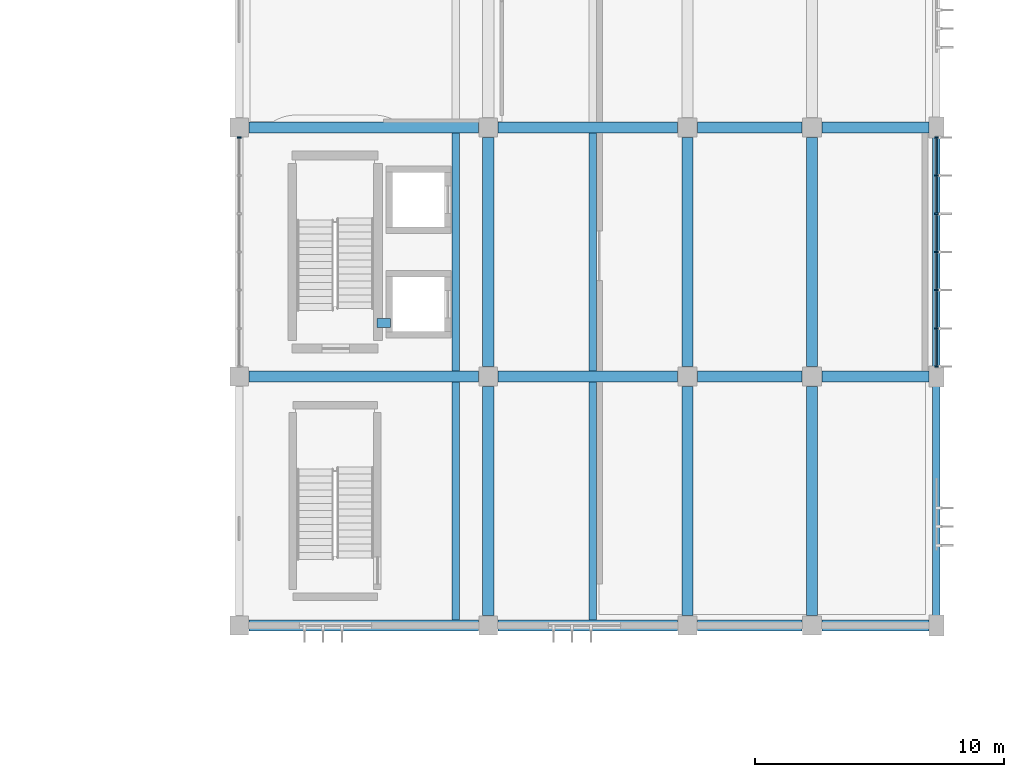
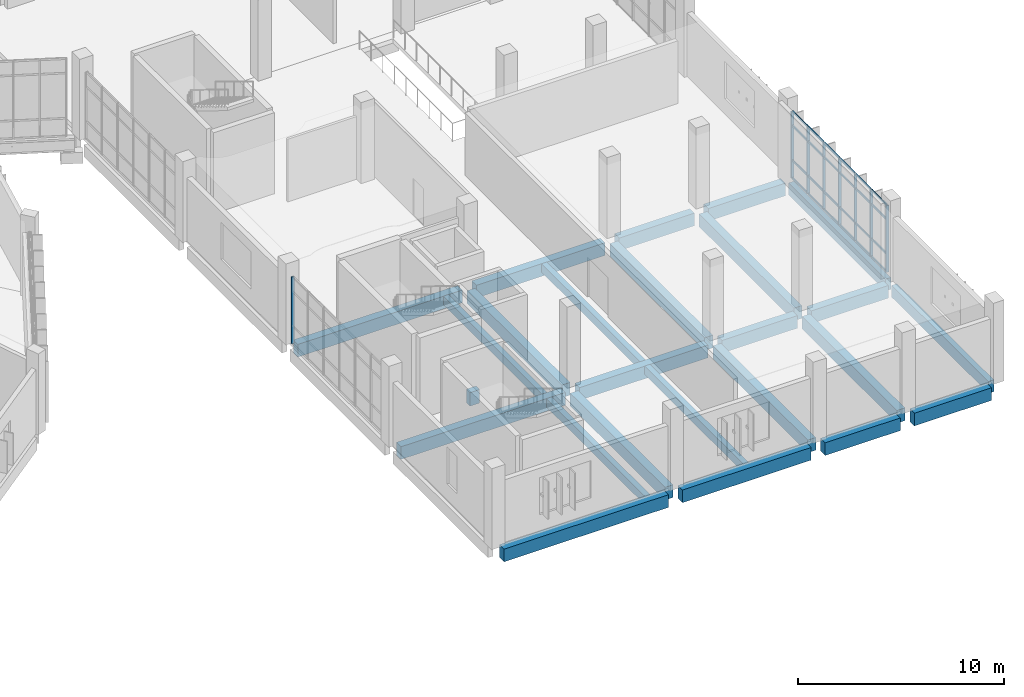
# One storey, part 52 of 179: 32 members, 25 beams, 2 elements without a shape of their own.
"""IFC4 building model written with IfcOpenShell, lengths in metres."""

from ifc_helpers import new_model, si_unit, direction, frame, origin, origin_2d, place, context, subcontext, project, spatial, rectangle, extrude, material, layer, layer_set, material_profile, profile_set, type_object, element, aggregate, save


model = new_model("IFC4")

# Units and contexts
model_context = context("Model", 3, precision=1e-05, world=origin(), true_north=direction((0.0, 1.0)))
body_context = subcontext(model_context, "Body", "Model", "MODEL_VIEW")
ifc_project = project(units=[si_unit("LENGTHUNIT", "METRE"), si_unit("AREAUNIT", "SQUARE_METRE"), si_unit("VOLUMEUNIT", "CUBIC_METRE"), si_unit("PLANEANGLEUNIT", "RADIAN"), si_unit("MASSUNIT", "GRAM", prefix="KILO")], contexts=[model_context])

# Site, building, storey
site_placement = place(None, origin())
site = spatial("IfcSite", under=ifc_project, at=site_placement, CompositionType="ELEMENT")
building_placement = place(site_placement, origin())
building = spatial("IfcBuilding", under=site, at=building_placement, Name="Corvandel Quay Wholesale Market", CompositionType="ELEMENT")
storey_placement = place(building_placement, frame((0.0, 0.0, 6.0)))
storey = spatial("IfcBuildingStorey", under=building, at=storey_placement, Name="L01", CompositionType="ELEMENT", Elevation=6.0)

# Beam
ifc_material_1 = material(Name="Concrete C40/50", Category="concrete")
ifc_material_profile_1 = material_profile(ifc_material_1, rectangle(XDim=0.35009765625, YDim=0.800048828125, at=origin_2d()), Name="RC-CPL-350x800")
ifc_profile_set_1 = profile_set([ifc_material_profile_1], Name="Concrete C40/50")
beam_type_1 = type_object("IfcBeamType", Name="Core Shear Wall Coupling Beam CP01 350x800", PredefinedType="BEAM", material=ifc_profile_set_1)
beam_1_placement = place(storey_placement, frame((225.52490234375, 22.14990234375, -0.64990234375), z_axis=(1.0, 0.0, 0.0), x_axis=(0.0, 1.0, 0.0)))
element("IfcBeam", 1, at=beam_1_placement, inside=storey, type_object=beam_type_1, Name="Core Coupling Beam K6-L01", PredefinedType="BEAM", context=body_context, shape_type="SweptSolid", body=[
    extrude(rectangle(XDim=0.35009765625, YDim=0.800048828125, at=origin_2d()), origin(), (0.0, 0.0, 1.0), 0.550048828125),
])

# Curtain wall, members
ifc_material_2 = material(Name="Bronze anodised aluminium and low-E insulated glazing", Category="aluminium")
ifc_layer_1 = layer(ifc_material_2, 0.197998046875)
ifc_layer_set_1 = layer_set([ifc_layer_1], Name="Bronze anodised aluminium and low-E insulated glazing")
curtain_wall_type_1 = type_object("IfcCurtainWallType", Name="Stick Curtain Wall System CW14 H4260", PredefinedType="NOTDEFINED", material=ifc_layer_set_1)
curtain_wall_1_placement = place(storey_placement, origin())
curtain_wall_1 = element("IfcCurtainWall", 2, at=curtain_wall_1_placement, inside=storey, type_object=curtain_wall_type_1, Name="Curtain Wall CW-0149", PredefinedType="NOTDEFINED")
ifc_material_3 = material(Name="Anodised aluminium 6063-T6", Category="aluminium")
ifc_material_profile_2 = material_profile(ifc_material_3, rectangle(XDim=0.06494140625, YDim=0.14990234375, at=origin_2d()), Name="ALU-MUL-65x150")
ifc_profile_set_2 = profile_set([ifc_material_profile_2], Name="Anodised aluminium 6063-T6")
member_type_1 = type_object("IfcMemberType", Name="Curtain Wall Mullion ML02 65x150", PredefinedType="MULLION", material=ifc_profile_set_2)
member_1_placement = place(storey_placement, frame((248.0, 20.39990234375, 0.0), z_axis=(0.0, 0.0, 1.0), x_axis=(0.0, 1.0, 0.0)))
member_1 = element("IfcMember", 3, at=member_1_placement, type_object=member_type_1, Name="Mullion CW-0149-M00", PredefinedType="MULLION", context=body_context, shape_type="SweptSolid", body=[
    extrude(rectangle(XDim=0.06494140625, YDim=0.14990234375, at=origin_2d()), origin(), (0.0, 0.0, 1.0), 3.949951171875),
])
member_2_placement = place(storey_placement, frame((248.0, 21.933349609375, 0.0), z_axis=(0.0, 0.0, 1.0), x_axis=(0.0, 1.0, 0.0)))
member_2 = element("IfcMember", 4, at=member_2_placement, type_object=member_type_1, Name="Mullion CW-0149-M01", PredefinedType="MULLION", context=body_context, shape_type="SweptSolid", body=[
    extrude(rectangle(XDim=0.06494140625, YDim=0.14990234375, at=origin_2d()), origin(), (0.0, 0.0, 1.0), 3.949951171875),
])
member_3_placement = place(storey_placement, frame((248.0, 23.466796875, 0.0), z_axis=(0.0, 0.0, 1.0), x_axis=(0.0, 1.0, 0.0)))
member_3 = element("IfcMember", 5, at=member_3_placement, type_object=member_type_1, Name="Mullion CW-0149-M02", PredefinedType="MULLION", context=body_context, shape_type="SweptSolid", body=[
    extrude(rectangle(XDim=0.06494140625, YDim=0.14990234375, at=origin_2d()), origin(), (0.0, 0.0, 1.0), 3.949951171875),
])
member_4_placement = place(storey_placement, frame((248.0, 25.0, 0.0), z_axis=(0.0, 0.0, 1.0), x_axis=(0.0, 1.0, 0.0)))
member_4 = element("IfcMember", 6, at=member_4_placement, type_object=member_type_1, Name="Mullion CW-0149-M03", PredefinedType="MULLION", context=body_context, shape_type="SweptSolid", body=[
    extrude(rectangle(XDim=0.06494140625, YDim=0.14990234375, at=origin_2d()), origin(), (0.0, 0.0, 1.0), 3.949951171875),
])
member_5_placement = place(storey_placement, frame((248.0, 26.533203125, 0.0), z_axis=(0.0, 0.0, 1.0), x_axis=(0.0, 1.0, 0.0)))
member_5 = element("IfcMember", 7, at=member_5_placement, type_object=member_type_1, Name="Mullion CW-0149-M04", PredefinedType="MULLION", context=body_context, shape_type="SweptSolid", body=[
    extrude(rectangle(XDim=0.06494140625, YDim=0.14990234375, at=origin_2d()), origin(), (0.0, 0.0, 1.0), 3.949951171875),
])
member_6_placement = place(storey_placement, frame((248.0, 28.066650390625, 0.0), z_axis=(0.0, 0.0, 1.0), x_axis=(0.0, 1.0, 0.0)))
member_6 = element("IfcMember", 8, at=member_6_placement, type_object=member_type_1, Name="Mullion CW-0149-M05", PredefinedType="MULLION", context=body_context, shape_type="SweptSolid", body=[
    extrude(rectangle(XDim=0.06494140625, YDim=0.14990234375, at=origin_2d()), origin(), (0.0, 0.0, 1.0), 3.949951171875),
])
member_7_placement = place(storey_placement, frame((248.0, 29.60009765625, 0.0), z_axis=(0.0, 0.0, 1.0), x_axis=(0.0, 1.0, 0.0)))
member_7 = element("IfcMember", 9, at=member_7_placement, type_object=member_type_1, Name="Mullion CW-0149-M06", PredefinedType="MULLION", context=body_context, shape_type="SweptSolid", body=[
    extrude(rectangle(XDim=0.06494140625, YDim=0.14990234375, at=origin_2d()), origin(), (0.0, 0.0, 1.0), 3.949951171875),
])

# Curtain wall, member
ifc_layer_2 = layer(ifc_material_2, 0.14990234375)
ifc_layer_set_2 = layer_set([ifc_layer_2], Name="Bronze anodised aluminium and low-E insulated glazing")
curtain_wall_type_2 = type_object("IfcCurtainWallType", Name="Stick Curtain Wall System CW20 H4800", PredefinedType="NOTDEFINED", material=ifc_layer_set_2)
curtain_wall_2_placement = place(storey_placement, origin())
curtain_wall_2 = element("IfcCurtainWall", 10, at=curtain_wall_2_placement, inside=storey, type_object=curtain_wall_type_2, Name="Curtain Wall CW-0150", PredefinedType="NOTDEFINED")
member_8_placement = place(storey_placement, frame((220.0, 29.60009765625, 0.0), z_axis=(0.0, 0.0, 1.0), x_axis=(0.0, 1.0, 0.0)))
member_8 = element("IfcMember", 11, at=member_8_placement, type_object=member_type_1, Name="Mullion CW-0150-M06", PredefinedType="MULLION", context=body_context, shape_type="SweptSolid", body=[
    extrude(rectangle(XDim=0.06494140625, YDim=0.14990234375, at=origin_2d()), origin(), (0.0, 0.0, 1.0), 3.949951171875),
])
aggregate(curtain_wall_2, [member_8])

# Member
ifc_material_profile_3 = material_profile(ifc_material_3, rectangle(XDim=0.06005859375, YDim=0.110107421875, at=origin_2d()), Name="ALU-TRN-60x110")
ifc_profile_set_3 = profile_set([ifc_material_profile_3], Name="Anodised aluminium 6063-T6")
member_type_2 = type_object("IfcMemberType", Name="Curtain Wall Transom TR02 60x110", PredefinedType="USERDEFINED", material=ifc_profile_set_3)
member_9_placement = place(storey_placement, frame((248.0, 20.4326171875, 0.0), z_axis=(0.0, 1.0, 0.0), x_axis=(-1.0, 0.0, 0.0)))
member_9 = element("IfcMember", 12, at=member_9_placement, type_object=member_type_2, Name="Transom CW-0149-T00-0", ObjectType="TRANSOM", PredefinedType="USERDEFINED", context=body_context, shape_type="SweptSolid", body=[
    extrude(rectangle(XDim=0.06005859375, YDim=0.110107421875, at=origin_2d()), origin(), (0.0, 0.0, 1.0), 1.46826171875),
])

member_10_placement = place(storey_placement, frame((248.0, 20.4326171875, 1.050048828125), z_axis=(0.0, 1.0, 0.0), x_axis=(-1.0, 0.0, 0.0)))
member_10 = element("IfcMember", 13, at=member_10_placement, type_object=member_type_2, Name="Transom CW-0149-T00-1", ObjectType="TRANSOM", PredefinedType="USERDEFINED", context=body_context, shape_type="SweptSolid", body=[
    extrude(rectangle(XDim=0.06005859375, YDim=0.110107421875, at=origin_2d()), origin(), (0.0, 0.0, 1.0), 1.46826171875),
])

member_11_placement = place(storey_placement, frame((248.0, 20.4326171875, 3.10009765625), z_axis=(0.0, 1.0, 0.0), x_axis=(-1.0, 0.0, 0.0)))
member_11 = element("IfcMember", 14, at=member_11_placement, type_object=member_type_2, Name="Transom CW-0149-T00-2", ObjectType="TRANSOM", PredefinedType="USERDEFINED", context=body_context, shape_type="SweptSolid", body=[
    extrude(rectangle(XDim=0.06005859375, YDim=0.110107421875, at=origin_2d()), origin(), (0.0, 0.0, 1.0), 1.46826171875),
])

member_12_placement = place(storey_placement, frame((248.0, 20.4326171875, 3.949951171875), z_axis=(0.0, 1.0, 0.0), x_axis=(-1.0, 0.0, 0.0)))
member_12 = element("IfcMember", 15, at=member_12_placement, type_object=member_type_2, Name="Transom CW-0149-T00-3", ObjectType="TRANSOM", PredefinedType="USERDEFINED", context=body_context, shape_type="SweptSolid", body=[
    extrude(rectangle(XDim=0.06005859375, YDim=0.110107421875, at=origin_2d()), origin(), (0.0, 0.0, 1.0), 1.46826171875),
])

member_13_placement = place(storey_placement, frame((248.0, 21.9658203125, 0.0), z_axis=(0.0, 1.0, 0.0), x_axis=(-1.0, 0.0, 0.0)))
member_13 = element("IfcMember", 16, at=member_13_placement, type_object=member_type_2, Name="Transom CW-0149-T01-0", ObjectType="TRANSOM", PredefinedType="USERDEFINED", context=body_context, shape_type="SweptSolid", body=[
    extrude(rectangle(XDim=0.06005859375, YDim=0.110107421875, at=origin_2d()), origin(), (0.0, 0.0, 1.0), 1.46826171875),
])

member_14_placement = place(storey_placement, frame((248.0, 21.9658203125, 1.050048828125), z_axis=(0.0, 1.0, 0.0), x_axis=(-1.0, 0.0, 0.0)))
member_14 = element("IfcMember", 17, at=member_14_placement, type_object=member_type_2, Name="Transom CW-0149-T01-1", ObjectType="TRANSOM", PredefinedType="USERDEFINED", context=body_context, shape_type="SweptSolid", body=[
    extrude(rectangle(XDim=0.06005859375, YDim=0.110107421875, at=origin_2d()), origin(), (0.0, 0.0, 1.0), 1.46826171875),
])

member_15_placement = place(storey_placement, frame((248.0, 21.9658203125, 3.10009765625), z_axis=(0.0, 1.0, 0.0), x_axis=(-1.0, 0.0, 0.0)))
member_15 = element("IfcMember", 18, at=member_15_placement, type_object=member_type_2, Name="Transom CW-0149-T01-2", ObjectType="TRANSOM", PredefinedType="USERDEFINED", context=body_context, shape_type="SweptSolid", body=[
    extrude(rectangle(XDim=0.06005859375, YDim=0.110107421875, at=origin_2d()), origin(), (0.0, 0.0, 1.0), 1.46826171875),
])

member_16_placement = place(storey_placement, frame((248.0, 21.9658203125, 3.949951171875), z_axis=(0.0, 1.0, 0.0), x_axis=(-1.0, 0.0, 0.0)))
member_16 = element("IfcMember", 19, at=member_16_placement, type_object=member_type_2, Name="Transom CW-0149-T01-3", ObjectType="TRANSOM", PredefinedType="USERDEFINED", context=body_context, shape_type="SweptSolid", body=[
    extrude(rectangle(XDim=0.06005859375, YDim=0.110107421875, at=origin_2d()), origin(), (0.0, 0.0, 1.0), 1.46826171875),
])

member_17_placement = place(storey_placement, frame((248.0, 23.499267578125, 0.0), z_axis=(0.0, 1.0, 0.0), x_axis=(-1.0, 0.0, 0.0)))
member_17 = element("IfcMember", 20, at=member_17_placement, type_object=member_type_2, Name="Transom CW-0149-T02-0", ObjectType="TRANSOM", PredefinedType="USERDEFINED", context=body_context, shape_type="SweptSolid", body=[
    extrude(rectangle(XDim=0.06005859375, YDim=0.110107421875, at=origin_2d()), origin(), (0.0, 0.0, 1.0), 1.46826171875),
])

member_18_placement = place(storey_placement, frame((248.0, 23.499267578125, 1.050048828125), z_axis=(0.0, 1.0, 0.0), x_axis=(-1.0, 0.0, 0.0)))
member_18 = element("IfcMember", 21, at=member_18_placement, type_object=member_type_2, Name="Transom CW-0149-T02-1", ObjectType="TRANSOM", PredefinedType="USERDEFINED", context=body_context, shape_type="SweptSolid", body=[
    extrude(rectangle(XDim=0.06005859375, YDim=0.110107421875, at=origin_2d()), origin(), (0.0, 0.0, 1.0), 1.46826171875),
])

member_19_placement = place(storey_placement, frame((248.0, 23.499267578125, 3.10009765625), z_axis=(0.0, 1.0, 0.0), x_axis=(-1.0, 0.0, 0.0)))
member_19 = element("IfcMember", 22, at=member_19_placement, type_object=member_type_2, Name="Transom CW-0149-T02-2", ObjectType="TRANSOM", PredefinedType="USERDEFINED", context=body_context, shape_type="SweptSolid", body=[
    extrude(rectangle(XDim=0.06005859375, YDim=0.110107421875, at=origin_2d()), origin(), (0.0, 0.0, 1.0), 1.46826171875),
])

member_20_placement = place(storey_placement, frame((248.0, 23.499267578125, 3.949951171875), z_axis=(0.0, 1.0, 0.0), x_axis=(-1.0, 0.0, 0.0)))
member_20 = element("IfcMember", 23, at=member_20_placement, type_object=member_type_2, Name="Transom CW-0149-T02-3", ObjectType="TRANSOM", PredefinedType="USERDEFINED", context=body_context, shape_type="SweptSolid", body=[
    extrude(rectangle(XDim=0.06005859375, YDim=0.110107421875, at=origin_2d()), origin(), (0.0, 0.0, 1.0), 1.46826171875),
])

member_21_placement = place(storey_placement, frame((248.0, 25.032470703125, 0.0), z_axis=(0.0, 1.0, 0.0), x_axis=(-1.0, 0.0, 0.0)))
member_21 = element("IfcMember", 24, at=member_21_placement, type_object=member_type_2, Name="Transom CW-0149-T03-0", ObjectType="TRANSOM", PredefinedType="USERDEFINED", context=body_context, shape_type="SweptSolid", body=[
    extrude(rectangle(XDim=0.06005859375, YDim=0.110107421875, at=origin_2d()), origin(), (0.0, 0.0, 1.0), 1.46826171875),
])

member_22_placement = place(storey_placement, frame((248.0, 25.032470703125, 1.050048828125), z_axis=(0.0, 1.0, 0.0), x_axis=(-1.0, 0.0, 0.0)))
member_22 = element("IfcMember", 25, at=member_22_placement, type_object=member_type_2, Name="Transom CW-0149-T03-1", ObjectType="TRANSOM", PredefinedType="USERDEFINED", context=body_context, shape_type="SweptSolid", body=[
    extrude(rectangle(XDim=0.06005859375, YDim=0.110107421875, at=origin_2d()), origin(), (0.0, 0.0, 1.0), 1.46826171875),
])

member_23_placement = place(storey_placement, frame((248.0, 25.032470703125, 3.10009765625), z_axis=(0.0, 1.0, 0.0), x_axis=(-1.0, 0.0, 0.0)))
member_23 = element("IfcMember", 26, at=member_23_placement, type_object=member_type_2, Name="Transom CW-0149-T03-2", ObjectType="TRANSOM", PredefinedType="USERDEFINED", context=body_context, shape_type="SweptSolid", body=[
    extrude(rectangle(XDim=0.06005859375, YDim=0.110107421875, at=origin_2d()), origin(), (0.0, 0.0, 1.0), 1.46826171875),
])

member_24_placement = place(storey_placement, frame((248.0, 25.032470703125, 3.949951171875), z_axis=(0.0, 1.0, 0.0), x_axis=(-1.0, 0.0, 0.0)))
member_24 = element("IfcMember", 27, at=member_24_placement, type_object=member_type_2, Name="Transom CW-0149-T03-3", ObjectType="TRANSOM", PredefinedType="USERDEFINED", context=body_context, shape_type="SweptSolid", body=[
    extrude(rectangle(XDim=0.06005859375, YDim=0.110107421875, at=origin_2d()), origin(), (0.0, 0.0, 1.0), 1.46826171875),
])

member_25_placement = place(storey_placement, frame((248.0, 26.56591796875, 0.0), z_axis=(0.0, 1.0, 0.0), x_axis=(-1.0, 0.0, 0.0)))
member_25 = element("IfcMember", 28, at=member_25_placement, type_object=member_type_2, Name="Transom CW-0149-T04-0", ObjectType="TRANSOM", PredefinedType="USERDEFINED", context=body_context, shape_type="SweptSolid", body=[
    extrude(rectangle(XDim=0.06005859375, YDim=0.110107421875, at=origin_2d()), origin(), (0.0, 0.0, 1.0), 1.46826171875),
])

member_26_placement = place(storey_placement, frame((248.0, 26.56591796875, 1.050048828125), z_axis=(0.0, 1.0, 0.0), x_axis=(-1.0, 0.0, 0.0)))
member_26 = element("IfcMember", 29, at=member_26_placement, type_object=member_type_2, Name="Transom CW-0149-T04-1", ObjectType="TRANSOM", PredefinedType="USERDEFINED", context=body_context, shape_type="SweptSolid", body=[
    extrude(rectangle(XDim=0.06005859375, YDim=0.110107421875, at=origin_2d()), origin(), (0.0, 0.0, 1.0), 1.46826171875),
])

member_27_placement = place(storey_placement, frame((248.0, 26.56591796875, 3.10009765625), z_axis=(0.0, 1.0, 0.0), x_axis=(-1.0, 0.0, 0.0)))
member_27 = element("IfcMember", 30, at=member_27_placement, type_object=member_type_2, Name="Transom CW-0149-T04-2", ObjectType="TRANSOM", PredefinedType="USERDEFINED", context=body_context, shape_type="SweptSolid", body=[
    extrude(rectangle(XDim=0.06005859375, YDim=0.110107421875, at=origin_2d()), origin(), (0.0, 0.0, 1.0), 1.46826171875),
])

member_28_placement = place(storey_placement, frame((248.0, 26.56591796875, 3.949951171875), z_axis=(0.0, 1.0, 0.0), x_axis=(-1.0, 0.0, 0.0)))
member_28 = element("IfcMember", 31, at=member_28_placement, type_object=member_type_2, Name="Transom CW-0149-T04-3", ObjectType="TRANSOM", PredefinedType="USERDEFINED", context=body_context, shape_type="SweptSolid", body=[
    extrude(rectangle(XDim=0.06005859375, YDim=0.110107421875, at=origin_2d()), origin(), (0.0, 0.0, 1.0), 1.46826171875),
])

member_29_placement = place(storey_placement, frame((248.0, 28.09912109375, 0.0), z_axis=(0.0, 1.0, 0.0), x_axis=(-1.0, 0.0, 0.0)))
member_29 = element("IfcMember", 32, at=member_29_placement, type_object=member_type_2, Name="Transom CW-0149-T05-0", ObjectType="TRANSOM", PredefinedType="USERDEFINED", context=body_context, shape_type="SweptSolid", body=[
    extrude(rectangle(XDim=0.06005859375, YDim=0.110107421875, at=origin_2d()), origin(), (0.0, 0.0, 1.0), 1.46826171875),
])

member_30_placement = place(storey_placement, frame((248.0, 28.09912109375, 1.050048828125), z_axis=(0.0, 1.0, 0.0), x_axis=(-1.0, 0.0, 0.0)))
member_30 = element("IfcMember", 33, at=member_30_placement, type_object=member_type_2, Name="Transom CW-0149-T05-1", ObjectType="TRANSOM", PredefinedType="USERDEFINED", context=body_context, shape_type="SweptSolid", body=[
    extrude(rectangle(XDim=0.06005859375, YDim=0.110107421875, at=origin_2d()), origin(), (0.0, 0.0, 1.0), 1.46826171875),
])

member_31_placement = place(storey_placement, frame((248.0, 28.09912109375, 3.10009765625), z_axis=(0.0, 1.0, 0.0), x_axis=(-1.0, 0.0, 0.0)))
member_31 = element("IfcMember", 34, at=member_31_placement, type_object=member_type_2, Name="Transom CW-0149-T05-2", ObjectType="TRANSOM", PredefinedType="USERDEFINED", context=body_context, shape_type="SweptSolid", body=[
    extrude(rectangle(XDim=0.06005859375, YDim=0.110107421875, at=origin_2d()), origin(), (0.0, 0.0, 1.0), 1.46826171875),
])

member_32_placement = place(storey_placement, frame((248.0, 28.09912109375, 3.949951171875), z_axis=(0.0, 1.0, 0.0), x_axis=(-1.0, 0.0, 0.0)))
member_32 = element("IfcMember", 35, at=member_32_placement, type_object=member_type_2, Name="Transom CW-0149-T05-3", ObjectType="TRANSOM", PredefinedType="USERDEFINED", context=body_context, shape_type="SweptSolid", body=[
    extrude(rectangle(XDim=0.06005859375, YDim=0.110107421875, at=origin_2d()), origin(), (0.0, 0.0, 1.0), 1.46826171875),
])

aggregate(curtain_wall_1, [member_1, member_2, member_3, member_4, member_5, member_6, member_7, member_9, member_10, member_11, member_12, member_13, member_14, member_15, member_16, member_17, member_18, member_19, member_20, member_21, member_22, member_23, member_24, member_25, member_26, member_27, member_28, member_29, member_30, member_31, member_32])

# Beams
ifc_material_4 = material(Name="Precast concrete C45/55", Category="concrete")
ifc_material_profile_4 = material_profile(ifc_material_4, rectangle(XDim=0.300048828125, YDim=0.5, at=origin_2d()), Name="PC-BM-300x500")
ifc_profile_set_4 = profile_set([ifc_material_profile_4], Name="Precast concrete C45/55")
beam_type_2 = type_object("IfcBeamType", Name="Office Floor Secondary Beam B04 300x500", PredefinedType="BEAM", material=ifc_profile_set_4)
for number, where, z_axis, x_axis, name in (
    (36, (228.699951171875, 10.215087890625, -0.570068359375), (0.0, 1.0, 0.0), (-1.0, 0.0, 0.0), "Beam BM-1489"),
    (37, (234.199951171875, 10.215087890625, -0.570068359375), (0.0, 1.0, 0.0), (-1.0, 0.0, 0.0), "Beam BM-1490"),
    (38, (228.699951171875, 20.215087890625, -0.570068359375), (0.0, 1.0, 0.0), (-1.0, 0.0, 0.0), "Beam BM-1491"),
    (39, (234.199951171875, 20.215087890625, -0.570068359375), (0.0, 1.0, 0.0), (-1.0, 0.0, 0.0), "Beam BM-1492"),
):
    element("IfcBeam", number, at=place(storey_placement, frame(where, z_axis=z_axis, x_axis=x_axis)), inside=storey, type_object=beam_type_2, Name=name, PredefinedType="BEAM", context=body_context, shape_type="SweptSolid", body=[
        extrude(rectangle(XDim=0.300048828125, YDim=0.5, at=origin_2d()), origin(), (0.0, 0.0, 1.0), 9.56982421875),
    ])
ifc_material_profile_5 = material_profile(ifc_material_4, rectangle(XDim=0.300048828125, YDim=0.699951171875, at=origin_2d()), Name="PC-SPN-300x700")
ifc_profile_set_5 = profile_set([ifc_material_profile_5], Name="Precast concrete C45/55")
beam_type_3 = type_object("IfcBeamType", Name="Terrace Edge Spandrel SP03 300x700", PredefinedType="SPANDREL", material=ifc_profile_set_5)
for number, where, z_axis, x_axis, name in (
    (40, (248.0, 10.294921875, -0.669921875), (0.0, 1.0, 0.0), (-1.0, 0.0, 0.0), "Beam BM-1479"),
    (41, (248.0, 20.294921875, -0.669921875), (0.0, 1.0, 0.0), (-1.0, 0.0, 0.0), "Beam BM-1480"),
):
    element("IfcBeam", number, at=place(storey_placement, frame(where, z_axis=z_axis, x_axis=x_axis)), inside=storey, type_object=beam_type_3, Name=name, PredefinedType="SPANDREL", context=body_context, shape_type="SweptSolid", body=[
        extrude(rectangle(XDim=0.300048828125, YDim=0.699951171875, at=origin_2d()), origin(), (0.0, 0.0, 1.0), 9.41015625),
    ])
ifc_material_profile_6 = material_profile(ifc_material_4, rectangle(XDim=0.449951171875, YDim=0.75, at=origin_2d()), Name="PC-GIR-450x750")
ifc_profile_set_6 = profile_set([ifc_material_profile_6], Name="Precast concrete C45/55")
beam_type_4 = type_object("IfcBeamType", Name="Waterfront Office Girder G06 450x750", PredefinedType="USERDEFINED", material=ifc_profile_set_6)
beam_2_placement = place(storey_placement, frame((220.39501953125, 10.0, -0.695068359375), z_axis=(1.0, 0.0, 0.0), x_axis=(0.0, 1.0, 0.0)))
element("IfcBeam", 42, at=beam_2_placement, inside=storey, type_object=beam_type_4, Name="Beam BM-1395", ObjectType="GIRDER", PredefinedType="USERDEFINED", context=body_context, shape_type="SweptSolid", body=[
    extrude(rectangle(XDim=0.449951171875, YDim=0.75, at=origin_2d()), origin(), (0.0, 0.0, 1.0), 9.2099609375),
])
beam_3_placement = place(storey_placement, frame((230.39501953125, 10.0, -0.695068359375), z_axis=(1.0, 0.0, 0.0), x_axis=(0.0, 1.0, 0.0)))
element("IfcBeam", 43, at=beam_3_placement, inside=storey, type_object=beam_type_4, Name="Beam BM-1396", ObjectType="GIRDER", PredefinedType="USERDEFINED", context=body_context, shape_type="SweptSolid", body=[
    extrude(rectangle(XDim=0.449951171875, YDim=0.75, at=origin_2d()), origin(), (0.0, 0.0, 1.0), 7.2099609375),
])
beam_4_placement = place(storey_placement, frame((238.39501953125, 10.0, -0.695068359375), z_axis=(1.0, 0.0, 0.0), x_axis=(0.0, 1.0, 0.0)))
element("IfcBeam", 44, at=beam_4_placement, inside=storey, type_object=beam_type_4, Name="Beam BM-1397", ObjectType="GIRDER", PredefinedType="USERDEFINED", context=body_context, shape_type="SweptSolid", body=[
    extrude(rectangle(XDim=0.449951171875, YDim=0.75, at=origin_2d()), origin(), (0.0, 0.0, 1.0), 4.2099609375),
])
beam_5_placement = place(storey_placement, frame((243.39501953125, 10.0, -0.695068359375), z_axis=(1.0, 0.0, 0.0), x_axis=(0.0, 1.0, 0.0)))
element("IfcBeam", 45, at=beam_5_placement, inside=storey, type_object=beam_type_4, Name="Beam BM-1398", ObjectType="GIRDER", PredefinedType="USERDEFINED", context=body_context, shape_type="SweptSolid", body=[
    extrude(rectangle(XDim=0.449951171875, YDim=0.75, at=origin_2d()), origin(), (0.0, 0.0, 1.0), 4.31005859375),
])
beam_6_placement = place(storey_placement, frame((220.39501953125, 20.0, -0.695068359375), z_axis=(1.0, 0.0, 0.0), x_axis=(0.0, 1.0, 0.0)))
element("IfcBeam", 46, at=beam_6_placement, inside=storey, type_object=beam_type_4, Name="Beam BM-1399", ObjectType="GIRDER", PredefinedType="USERDEFINED", context=body_context, shape_type="SweptSolid", body=[
    extrude(rectangle(XDim=0.449951171875, YDim=0.75, at=origin_2d()), origin(), (0.0, 0.0, 1.0), 9.2099609375),
])
beam_7_placement = place(storey_placement, frame((230.39501953125, 20.0, -0.695068359375), z_axis=(1.0, 0.0, 0.0), x_axis=(0.0, 1.0, 0.0)))
element("IfcBeam", 47, at=beam_7_placement, inside=storey, type_object=beam_type_4, Name="Beam BM-1400", ObjectType="GIRDER", PredefinedType="USERDEFINED", context=body_context, shape_type="SweptSolid", body=[
    extrude(rectangle(XDim=0.449951171875, YDim=0.75, at=origin_2d()), origin(), (0.0, 0.0, 1.0), 7.2099609375),
])
beam_8_placement = place(storey_placement, frame((238.39501953125, 20.0, -0.695068359375), z_axis=(1.0, 0.0, 0.0), x_axis=(0.0, 1.0, 0.0)))
element("IfcBeam", 48, at=beam_8_placement, inside=storey, type_object=beam_type_4, Name="Beam BM-1401", ObjectType="GIRDER", PredefinedType="USERDEFINED", context=body_context, shape_type="SweptSolid", body=[
    extrude(rectangle(XDim=0.449951171875, YDim=0.75, at=origin_2d()), origin(), (0.0, 0.0, 1.0), 4.2099609375),
])
beam_9_placement = place(storey_placement, frame((243.39501953125, 20.0, -0.695068359375), z_axis=(1.0, 0.0, 0.0), x_axis=(0.0, 1.0, 0.0)))
element("IfcBeam", 49, at=beam_9_placement, inside=storey, type_object=beam_type_4, Name="Beam BM-1402", ObjectType="GIRDER", PredefinedType="USERDEFINED", context=body_context, shape_type="SweptSolid", body=[
    extrude(rectangle(XDim=0.449951171875, YDim=0.75, at=origin_2d()), origin(), (0.0, 0.0, 1.0), 4.31005859375),
])
beam_10_placement = place(storey_placement, frame((220.39501953125, 30.0, -0.695068359375), z_axis=(1.0, 0.0, 0.0), x_axis=(0.0, 1.0, 0.0)))
element("IfcBeam", 50, at=beam_10_placement, inside=storey, type_object=beam_type_4, Name="Beam BM-1403", ObjectType="GIRDER", PredefinedType="USERDEFINED", context=body_context, shape_type="SweptSolid", body=[
    extrude(rectangle(XDim=0.449951171875, YDim=0.75, at=origin_2d()), origin(), (0.0, 0.0, 1.0), 9.2099609375),
])
beam_11_placement = place(storey_placement, frame((230.39501953125, 30.0, -0.695068359375), z_axis=(1.0, 0.0, 0.0), x_axis=(0.0, 1.0, 0.0)))
element("IfcBeam", 51, at=beam_11_placement, inside=storey, type_object=beam_type_4, Name="Beam BM-1404", ObjectType="GIRDER", PredefinedType="USERDEFINED", context=body_context, shape_type="SweptSolid", body=[
    extrude(rectangle(XDim=0.449951171875, YDim=0.75, at=origin_2d()), origin(), (0.0, 0.0, 1.0), 7.2099609375),
])
beam_12_placement = place(storey_placement, frame((238.39501953125, 30.0, -0.695068359375), z_axis=(1.0, 0.0, 0.0), x_axis=(0.0, 1.0, 0.0)))
element("IfcBeam", 52, at=beam_12_placement, inside=storey, type_object=beam_type_4, Name="Beam BM-1405", ObjectType="GIRDER", PredefinedType="USERDEFINED", context=body_context, shape_type="SweptSolid", body=[
    extrude(rectangle(XDim=0.449951171875, YDim=0.75, at=origin_2d()), origin(), (0.0, 0.0, 1.0), 4.2099609375),
])
beam_13_placement = place(storey_placement, frame((243.39501953125, 30.0, -0.695068359375), z_axis=(1.0, 0.0, 0.0), x_axis=(0.0, 1.0, 0.0)))
element("IfcBeam", 53, at=beam_13_placement, inside=storey, type_object=beam_type_4, Name="Beam BM-1406", ObjectType="GIRDER", PredefinedType="USERDEFINED", context=body_context, shape_type="SweptSolid", body=[
    extrude(rectangle(XDim=0.449951171875, YDim=0.75, at=origin_2d()), origin(), (0.0, 0.0, 1.0), 4.31005859375),
])
for number, where, z_axis, x_axis, name in (
    (54, (230.0, 10.39501953125, -0.695068359375), (0.0, 1.0, 0.0), (-1.0, 0.0, 0.0), "Beam BM-1449"),
    (55, (230.0, 20.39501953125, -0.695068359375), (0.0, 1.0, 0.0), (-1.0, 0.0, 0.0), "Beam BM-1450"),
    (56, (238.0, 10.39501953125, -0.695068359375), (0.0, 1.0, 0.0), (-1.0, 0.0, 0.0), "Beam BM-1459"),
    (57, (238.0, 20.39501953125, -0.695068359375), (0.0, 1.0, 0.0), (-1.0, 0.0, 0.0), "Beam BM-1460"),
    (58, (243.0, 10.39501953125, -0.695068359375), (0.0, 1.0, 0.0), (-1.0, 0.0, 0.0), "Beam BM-1469"),
    (59, (243.0, 20.39501953125, -0.695068359375), (0.0, 1.0, 0.0), (-1.0, 0.0, 0.0), "Beam BM-1470"),
):
    element("IfcBeam", number, at=place(storey_placement, frame(where, z_axis=z_axis, x_axis=x_axis)), inside=storey, type_object=beam_type_4, Name=name, ObjectType="GIRDER", PredefinedType="USERDEFINED", context=body_context, shape_type="SweptSolid", body=[
        extrude(rectangle(XDim=0.449951171875, YDim=0.75, at=origin_2d()), origin(), (0.0, 0.0, 1.0), 9.2099609375),
    ])

save(model, "model.ifc")
